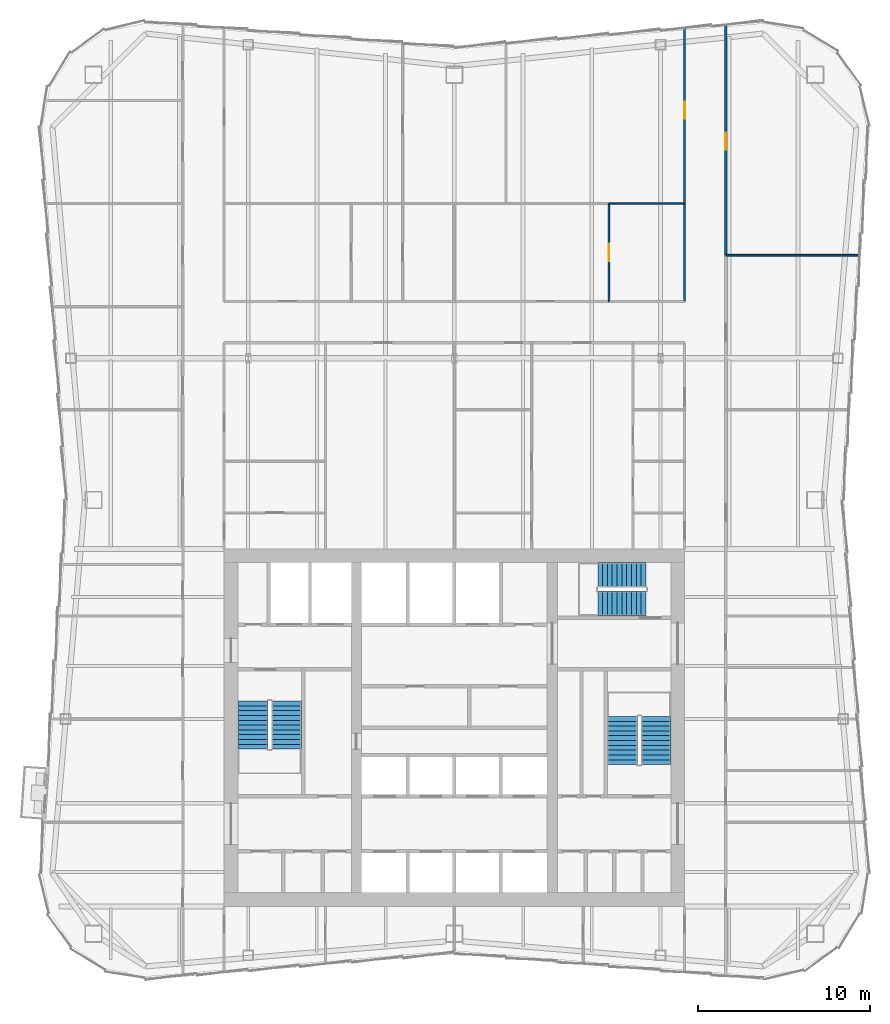
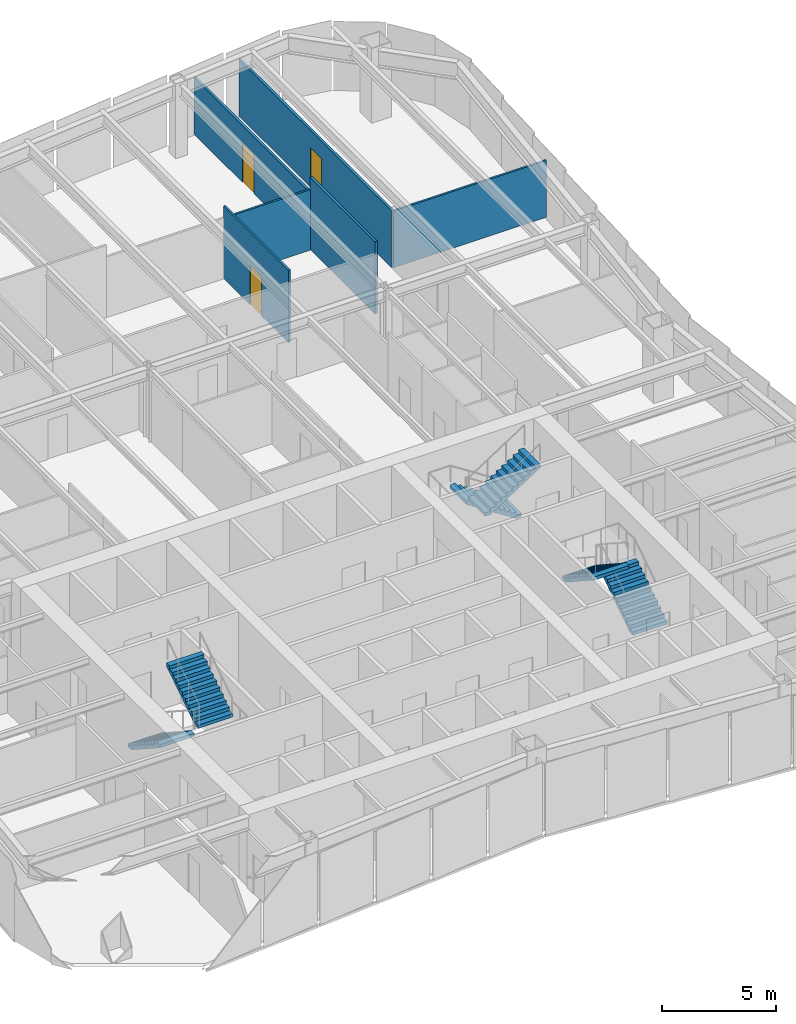
# One storey, part 10 of 12: 6 stair flights, 6 walls, 3 doors, 3 openings, 3 elements without a shape of their own.
"""IFC4 building model written with IfcOpenShell, lengths in metres."""

from ifc_helpers import new_model, si_unit, direction, frame, frame_2d, origin, place, context, subcontext, project, spatial, polyline, rectangle, outline, extrude, material, layer, layer_set, type_object, element, fill, aggregate, save


model = new_model("IFC4")

# Units and contexts
model_context = context("Model", 3, precision=1e-05, world=origin(), true_north=direction((0.0, 1.0)))
body_context = subcontext(model_context, "Body", "Model", "MODEL_VIEW")
ifc_project = project(units=[si_unit("LENGTHUNIT", "METRE"), si_unit("AREAUNIT", "SQUARE_METRE"), si_unit("VOLUMEUNIT", "CUBIC_METRE"), si_unit("PLANEANGLEUNIT", "RADIAN"), si_unit("MASSUNIT", "GRAM", prefix="KILO")], contexts=[model_context])

# Site, building, storey
site_placement = place(None, origin())
site = spatial("IfcSite", under=ifc_project, at=site_placement, CompositionType="ELEMENT")
building_placement = place(site_placement, origin())
building = spatial("IfcBuilding", under=site, at=building_placement, Name="Verdant Reach Tower", CompositionType="ELEMENT")
storey_placement = place(building_placement, frame((0.0, 0.0, 270.0)))
storey = spatial("IfcBuildingStorey", under=building, at=storey_placement, Name="L62", CompositionType="ELEMENT", Elevation=270.0)

# Wall
ifc_material_1 = material(Name="Gypsum board on steel studs", Category="steel")
ifc_layer_1 = layer(ifc_material_1, 0.10009765625)
ifc_layer_set_1 = layer_set([ifc_layer_1], Name="FL-W1 Partition 100")
wall_type_1 = type_object("IfcWallType", Name="FL-W1 Partition 100", PredefinedType="PARTITIONING", material=ifc_layer_set_1)
wall_1_placement = place(storey_placement, frame((23.562744140625, 55.5, 0.0), z_axis=(0.0, 0.0, 1.0), x_axis=(-1.0, 0.0, 0.0)))
element("IfcWall", 1, at=wall_1_placement, inside=storey, type_object=wall_type_1, Name="Partition 62.55", PredefinedType="PARTITIONING", context=body_context, shape_type="SweptSolid", body=[
    extrude(rectangle(XDim=7.7626953125, YDim=0.10009765625, at=frame_2d((3.88134765625, 0.0))), origin(), (0.0, 0.0, 1.0), 3.0400390625),
])

# Wall, opening, door
wall_2_placement = place(storey_placement, frame((9.0, 58.5, 0.0), z_axis=(0.0, 0.0, 1.0), x_axis=(0.0, -1.0, 0.0)))
wall_2 = element("IfcWall", 2, at=wall_2_placement, inside=storey, type_object=wall_type_1, Name="Partition 62.85", PredefinedType="PARTITIONING", context=body_context, shape_type="SweptSolid", body=[
    extrude(rectangle(XDim=5.699951171875, YDim=0.10009765625, at=frame_2d((2.85009765625, 0.0))), origin(), (0.0, 0.0, 1.0), 3.8701171875),
])
opening_1_placement = place(wall_2_placement, frame((2.35009765625, 0.0, 0.0)))
opening_1 = element("IfcOpeningElement", 3, at=opening_1_placement, cuts=wall_2, Name="Opening D3", PredefinedType="OPENING", context=body_context, shape_type="SweptSolid", body=[
    extrude(rectangle(XDim=1.0, YDim=2.10009765625, at=frame_2d((0.5, 1.050048828125))), frame((0.0, 0.06005859375, 0.0), z_axis=(0.0, -1.0, 0.0), x_axis=(1.0, 0.0, 0.0)), (0.0, 0.0, 1.0), 0.1201171875),
])
ifc_material_2 = material(Name="Painted timber door leaf", Category="wood")
door_type_1 = type_object("IfcDoorType", Name="FL-D3 Door 1000x2100", OperationType="NOTDEFINED", PredefinedType="DOOR", material=ifc_material_2)
door_1_placement = place(opening_1_placement, origin())
door_1 = element("IfcDoor", 4, at=door_1_placement, inside=storey, type_object=door_type_1, Name="Door 62-040", OperationType="SINGLE_SWING_RIGHT", OverallHeight=2.10009765625, OverallWidth=1.0, PredefinedType="DOOR", context=body_context, shape_type="SweptSolid", body=[
    extrude(rectangle(XDim=1.0, YDim=2.10009765625, at=frame_2d((0.5, 1.050048828125))), frame((0.0, 0.02490234375, 0.0), z_axis=(0.0, -1.0, 0.0), x_axis=(1.0, 0.0, 0.0)), (0.0, 0.0, 1.0), 0.050048828125),
])
fill(opening_1, door_1)

# Wall
wall_3_placement = place(storey_placement, frame((13.39990234375, 58.5, 0.0), z_axis=(0.0, 0.0, 1.0), x_axis=(-1.0, 0.0, 0.0)))
element("IfcWall", 5, at=wall_3_placement, inside=storey, type_object=wall_type_1, Name="Partition 62.88", PredefinedType="PARTITIONING", context=body_context, shape_type="SweptSolid", body=[
    extrude(rectangle(XDim=4.40380859375, YDim=0.10009765625, at=frame_2d((2.201904296875, 0.0))), origin(), (0.0, 0.0, 1.0), 3.239990234375),
])

# Wall, opening, door
ifc_material_3 = material(Name="Gypsum board on steel studs, fire rated", Category="steel")
ifc_layer_2 = layer(ifc_material_3, 0.125)
ifc_layer_set_2 = layer_set([ifc_layer_2], Name="FL-W2 Corridor wall 125")
wall_type_2 = type_object("IfcWallType", Name="FL-W2 Corridor wall 125", PredefinedType="PARTITIONING", material=ifc_layer_set_2)
wall_4_placement = place(storey_placement, frame((15.800048828125, 68.896728515625, 0.0), z_axis=(0.0, 0.0, 1.0), x_axis=(0.0, -1.0, 0.0)))
wall_4 = element("IfcWall", 6, at=wall_4_placement, inside=storey, type_object=wall_type_2, Name="Partition 62.17", PredefinedType="PARTITIONING", context=body_context, shape_type="SweptSolid", body=[
    extrude(rectangle(XDim=13.396728515625, YDim=0.125, at=frame_2d((6.6982421875, 0.0))), origin(), (0.0, 0.0, 1.0), 3.0400390625),
])
opening_2_placement = place(wall_4_placement, frame((6.263427734375, 0.0, 0.0)))
opening_2 = element("IfcOpeningElement", 7, at=opening_2_placement, cuts=wall_4, Name="Opening D2", PredefinedType="OPENING", context=body_context, shape_type="SweptSolid", body=[
    extrude(rectangle(XDim=1.0, YDim=2.10009765625, at=frame_2d((0.5, 1.050048828125))), frame((0.0, 0.072509765625, 0.0), z_axis=(0.0, -1.0, 0.0), x_axis=(1.0, 0.0, 0.0)), (0.0, 0.0, 1.0), 0.14501953125),
])
ifc_material_4 = material(Name="Timber door leaf, fire rated", Category="wood")
door_type_2 = type_object("IfcDoorType", Name="FL-D2 Entrance door 1000x2100 FD30", OperationType="NOTDEFINED", PredefinedType="DOOR", material=ifc_material_4)
door_2_placement = place(opening_2_placement, origin())
door_2 = element("IfcDoor", 8, at=door_2_placement, inside=storey, type_object=door_type_2, Name="Door 62-017", OperationType="SINGLE_SWING_RIGHT", OverallHeight=2.10009765625, OverallWidth=1.0, PredefinedType="DOOR", context=body_context, shape_type="SweptSolid", body=[
    extrude(rectangle(XDim=1.0, YDim=2.10009765625, at=frame_2d((0.5, 1.050048828125))), frame((0.0, 0.02490234375, 0.0), z_axis=(0.0, -1.0, 0.0), x_axis=(1.0, 0.0, 0.0)), (0.0, 0.0, 1.0), 0.050048828125),
])
fill(opening_2, door_2)

# Wall
wall_5_placement = place(storey_placement, frame((13.39990234375, 52.800048828125, 0.0), z_axis=(0.0, 0.0, 1.0), x_axis=(0.0, 1.0, 0.0)))
element("IfcWall", 9, at=wall_5_placement, inside=storey, type_object=wall_type_2, Name="Partition 62.37", PredefinedType="PARTITIONING", context=body_context, shape_type="SweptSolid", body=[
    extrude(rectangle(XDim=5.699951171875, YDim=0.125, at=frame_2d((2.85009765625, 0.0))), origin(), (0.0, 0.0, 1.0), 3.8701171875),
])

# Wall, opening, door
wall_6_placement = place(storey_placement, frame((13.39990234375, 58.5, 0.0), z_axis=(0.0, 0.0, 1.0), x_axis=(0.0, 1.0, 0.0)))
wall_6 = element("IfcWall", 10, at=wall_6_placement, inside=storey, type_object=wall_type_2, Name="Partition 62.40", PredefinedType="PARTITIONING", context=body_context, shape_type="SweptSolid", body=[
    extrude(rectangle(XDim=10.19677734375, YDim=0.125, at=frame_2d((5.098388671875, 0.0))), origin(), (0.0, 0.0, 1.0), 3.0400390625),
])
opening_3_placement = place(wall_6_placement, frame((4.93310546875, 0.0, 0.0)))
opening_3 = element("IfcOpeningElement", 11, at=opening_3_placement, cuts=wall_6, Name="Opening D2", PredefinedType="OPENING", context=body_context, shape_type="SweptSolid", body=[
    extrude(rectangle(XDim=1.0, YDim=2.10009765625, at=frame_2d((0.5, 1.050048828125))), frame((0.0, 0.072509765625, 0.0), z_axis=(0.0, -1.0, 0.0), x_axis=(1.0, 0.0, 0.0)), (0.0, 0.0, 1.0), 0.14501953125),
])
door_3_placement = place(opening_3_placement, origin())
door_3 = element("IfcDoor", 12, at=door_3_placement, inside=storey, type_object=door_type_2, Name="Door 62-030", OperationType="SINGLE_SWING_RIGHT", OverallHeight=2.10009765625, OverallWidth=1.0, PredefinedType="DOOR", context=body_context, shape_type="SweptSolid", body=[
    extrude(rectangle(XDim=1.0, YDim=2.10009765625, at=frame_2d((0.5, 1.050048828125))), frame((0.0, 0.02490234375, 0.0), z_axis=(0.0, -1.0, 0.0), x_axis=(1.0, 0.0, 0.0)), (0.0, 0.0, 1.0), 0.050048828125),
])
fill(opening_3, door_3)

# Stair, stair flights
ifc_material_5 = material(Name="Concrete C40/50", Category="concrete")
stair_type = type_object("IfcStairType", Name="CO-STAIR", PredefinedType="HALF_TURN_STAIR", material=ifc_material_5)
stair_1_placement = place(storey_placement, origin())
stair_1 = element("IfcStair", 13, at=stair_1_placement, inside=storey, type_object=stair_type, Name="L62 Exit stair 1", PredefinedType="HALF_TURN_STAIR")
stair_flight_type = type_object("IfcStairFlightType", Name="CO-STAIR-FLIGHT", PredefinedType="STRAIGHT", material=ifc_material_5)
stair_flight_1_placement = place(storey_placement, frame((-11.72509765625, 29.550048828125, 0.0), z_axis=(0.0, 0.0, 1.0), x_axis=(0.0, -1.0, 0.0)))
stair_flight_1 = element("IfcStairFlight", 14, at=stair_flight_1_placement, type_object=stair_flight_type, Name="ST-1 flight 1", NumberOfRisers=11, NumberOfTreads=10, PredefinedType="STRAIGHT", RiserHeight=0.181818182, TreadLength=0.28, context=body_context, shape_type="SweptSolid", body=[
    extrude(outline(polyline([(0.0, 0.0), (0.0, 0.181884765625), (0.280029296875, 0.181884765625), (0.280029296875, 0.363525390625), (0.56005859375, 0.363525390625), (0.56005859375, 0.54541015625), (0.840087890625, 0.54541015625), (0.840087890625, 0.727294921875), (1.1201171875, 0.727294921875), (1.1201171875, 0.9091796875), (1.39990234375, 0.9091796875), (1.39990234375, 1.0908203125), (1.679931640625, 1.0908203125), (1.679931640625, 1.272705078125), (1.9599609375, 1.272705078125), (1.9599609375, 1.45458984375), (2.239990234375, 1.45458984375), (2.239990234375, 1.636474609375), (2.52001953125, 1.636474609375), (2.52001953125, 1.818115234375), (2.800048828125, 1.818115234375), (2.800048828125, 2.0), (2.800048828125, 1.639404296875), (0.275146484375, 0.0), (0.0, 0.0)])), frame((0.0, 0.875, 0.0), z_axis=(0.0, -1.0, 0.0), x_axis=(1.0, 0.0, 0.0)), (0.0, 0.0, 1.0), 1.75),
])
stair_flight_2_placement = place(storey_placement, frame((-9.77490234375, 26.75, 2.0), z_axis=(0.0, 0.0, 1.0), x_axis=(0.0, 1.0, 0.0)))
stair_flight_2 = element("IfcStairFlight", 15, at=stair_flight_2_placement, type_object=stair_flight_type, Name="ST-1 flight 2", NumberOfRisers=11, NumberOfTreads=10, PredefinedType="STRAIGHT", RiserHeight=0.181818182, TreadLength=0.28, context=body_context, shape_type="SweptSolid", body=[
    extrude(outline(polyline([(0.0, 0.0), (0.0, 0.181884765625), (0.280029296875, 0.181884765625), (0.280029296875, 0.363525390625), (0.56005859375, 0.363525390625), (0.56005859375, 0.54541015625), (0.840087890625, 0.54541015625), (0.840087890625, 0.727294921875), (1.1201171875, 0.727294921875), (1.1201171875, 0.9091796875), (1.39990234375, 0.9091796875), (1.39990234375, 1.0908203125), (1.679931640625, 1.0908203125), (1.679931640625, 1.272705078125), (1.9599609375, 1.272705078125), (1.9599609375, 1.45458984375), (2.239990234375, 1.45458984375), (2.239990234375, 1.636474609375), (2.52001953125, 1.636474609375), (2.52001953125, 1.818115234375), (2.800048828125, 1.818115234375), (2.800048828125, 2.0), (2.800048828125, 1.639404296875), (0.275146484375, 0.0), (0.0, 0.0)])), frame((0.0, 0.875, 0.0), z_axis=(0.0, -1.0, 0.0), x_axis=(1.0, 0.0, 0.0)), (0.0, 0.0, 1.0), 1.75),
])
aggregate(stair_1, [stair_flight_1, stair_flight_2])

stair_2_placement = place(storey_placement, origin())
stair_2 = element("IfcStair", 16, at=stair_2_placement, inside=storey, type_object=stair_type, Name="L62 Exit stair 2", PredefinedType="HALF_TURN_STAIR")
stair_flight_3_placement = place(storey_placement, frame((11.72509765625, 25.85009765625, 0.0), z_axis=(0.0, 0.0, 1.0), x_axis=(0.0, 1.0, 0.0)))
stair_flight_3 = element("IfcStairFlight", 17, at=stair_flight_3_placement, type_object=stair_flight_type, Name="ST-2 flight 1", NumberOfRisers=11, NumberOfTreads=10, PredefinedType="STRAIGHT", RiserHeight=0.181818182, TreadLength=0.28, context=body_context, shape_type="SweptSolid", body=[
    extrude(outline(polyline([(0.0, 0.0), (0.0, 0.181884765625), (0.280029296875, 0.181884765625), (0.280029296875, 0.363525390625), (0.56005859375, 0.363525390625), (0.56005859375, 0.54541015625), (0.840087890625, 0.54541015625), (0.840087890625, 0.727294921875), (1.1201171875, 0.727294921875), (1.1201171875, 0.9091796875), (1.39990234375, 0.9091796875), (1.39990234375, 1.0908203125), (1.679931640625, 1.0908203125), (1.679931640625, 1.272705078125), (1.9599609375, 1.272705078125), (1.9599609375, 1.45458984375), (2.239990234375, 1.45458984375), (2.239990234375, 1.636474609375), (2.52001953125, 1.636474609375), (2.52001953125, 1.818115234375), (2.800048828125, 1.818115234375), (2.800048828125, 2.0), (2.800048828125, 1.639404296875), (0.275146484375, 0.0), (0.0, 0.0)])), frame((0.0, 0.875, 0.0), z_axis=(0.0, -1.0, 0.0), x_axis=(1.0, 0.0, 0.0)), (0.0, 0.0, 1.0), 1.75),
])
stair_flight_4_placement = place(storey_placement, frame((9.77490234375, 28.64990234375, 2.0), z_axis=(0.0, 0.0, 1.0), x_axis=(0.0, -1.0, 0.0)))
stair_flight_4 = element("IfcStairFlight", 18, at=stair_flight_4_placement, type_object=stair_flight_type, Name="ST-2 flight 2", NumberOfRisers=11, NumberOfTreads=10, PredefinedType="STRAIGHT", RiserHeight=0.181818182, TreadLength=0.28, context=body_context, shape_type="SweptSolid", body=[
    extrude(outline(polyline([(0.0, 0.0), (0.0, 0.181884765625), (0.280029296875, 0.181884765625), (0.280029296875, 0.363525390625), (0.56005859375, 0.363525390625), (0.56005859375, 0.54541015625), (0.840087890625, 0.54541015625), (0.840087890625, 0.727294921875), (1.1201171875, 0.727294921875), (1.1201171875, 0.9091796875), (1.39990234375, 0.9091796875), (1.39990234375, 1.0908203125), (1.679931640625, 1.0908203125), (1.679931640625, 1.272705078125), (1.9599609375, 1.272705078125), (1.9599609375, 1.45458984375), (2.239990234375, 1.45458984375), (2.239990234375, 1.636474609375), (2.52001953125, 1.636474609375), (2.52001953125, 1.818115234375), (2.800048828125, 1.818115234375), (2.800048828125, 2.0), (2.800048828125, 1.639404296875), (0.275146484375, 0.0), (0.0, 0.0)])), frame((0.0, 0.875, 0.0), z_axis=(0.0, -1.0, 0.0), x_axis=(1.0, 0.0, 0.0)), (0.0, 0.0, 1.0), 1.75),
])
aggregate(stair_2, [stair_flight_3, stair_flight_4])

stair_3_placement = place(storey_placement, origin())
stair_3 = element("IfcStair", 19, at=stair_3_placement, inside=storey, type_object=stair_type, Name="L62 Exit stair 3", PredefinedType="HALF_TURN_STAIR")
stair_flight_5_placement = place(storey_placement, frame((11.14990234375, 36.875, 0.0), z_axis=(0.0, 0.0, 1.0), x_axis=(-1.0, 0.0, 0.0)))
stair_flight_5 = element("IfcStairFlight", 20, at=stair_flight_5_placement, type_object=stair_flight_type, Name="ST-3 flight 1", NumberOfRisers=11, NumberOfTreads=10, PredefinedType="STRAIGHT", RiserHeight=0.181818182, TreadLength=0.28, context=body_context, shape_type="SweptSolid", body=[
    extrude(outline(polyline([(0.0, 0.0), (0.0, 0.181884765625), (0.280029296875, 0.181884765625), (0.280029296875, 0.363525390625), (0.56005859375, 0.363525390625), (0.56005859375, 0.54541015625), (0.840087890625, 0.54541015625), (0.840087890625, 0.727294921875), (1.1201171875, 0.727294921875), (1.1201171875, 0.9091796875), (1.39990234375, 0.9091796875), (1.39990234375, 1.0908203125), (1.679931640625, 1.0908203125), (1.679931640625, 1.272705078125), (1.9599609375, 1.272705078125), (1.9599609375, 1.45458984375), (2.239990234375, 1.45458984375), (2.239990234375, 1.636474609375), (2.52001953125, 1.636474609375), (2.52001953125, 1.818115234375), (2.800048828125, 1.818115234375), (2.800048828125, 2.0), (2.800048828125, 1.639404296875), (0.275146484375, 0.0), (0.0, 0.0)])), frame((0.0, 0.72509765625, 0.0), z_axis=(0.0, -1.0, 0.0), x_axis=(1.0, 0.0, 0.0)), (0.0, 0.0, 1.0), 1.449951171875),
])
stair_flight_6_placement = place(storey_placement, frame((8.35009765625, 35.22509765625, 2.0), z_axis=(0.0, 0.0, 1.0), x_axis=(1.0, 0.0, 0.0)))
stair_flight_6 = element("IfcStairFlight", 21, at=stair_flight_6_placement, type_object=stair_flight_type, Name="ST-3 flight 2", NumberOfRisers=11, NumberOfTreads=10, PredefinedType="STRAIGHT", RiserHeight=0.181818182, TreadLength=0.28, context=body_context, shape_type="SweptSolid", body=[
    extrude(outline(polyline([(0.0, 0.0), (0.0, 0.181884765625), (0.280029296875, 0.181884765625), (0.280029296875, 0.363525390625), (0.56005859375, 0.363525390625), (0.56005859375, 0.54541015625), (0.840087890625, 0.54541015625), (0.840087890625, 0.727294921875), (1.1201171875, 0.727294921875), (1.1201171875, 0.9091796875), (1.39990234375, 0.9091796875), (1.39990234375, 1.0908203125), (1.679931640625, 1.0908203125), (1.679931640625, 1.272705078125), (1.9599609375, 1.272705078125), (1.9599609375, 1.45458984375), (2.239990234375, 1.45458984375), (2.239990234375, 1.636474609375), (2.52001953125, 1.636474609375), (2.52001953125, 1.818115234375), (2.800048828125, 1.818115234375), (2.800048828125, 2.0), (2.800048828125, 1.639404296875), (0.275146484375, 0.0), (0.0, 0.0)])), frame((0.0, 0.72509765625, 0.0), z_axis=(0.0, -1.0, 0.0), x_axis=(1.0, 0.0, 0.0)), (0.0, 0.0, 1.0), 1.449951171875),
])
aggregate(stair_3, [stair_flight_5, stair_flight_6])

save(model, "model.ifc")
